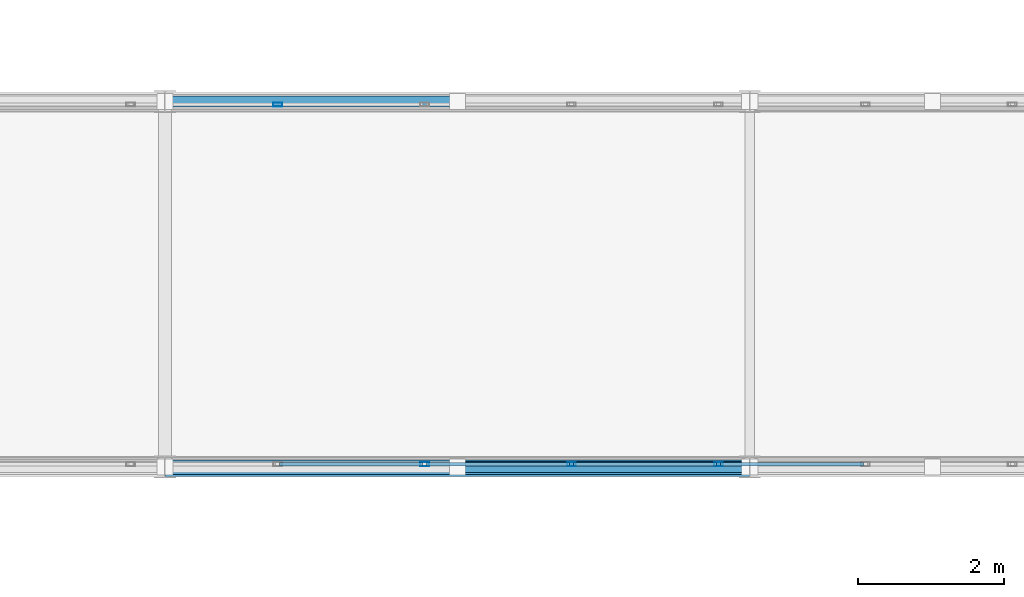
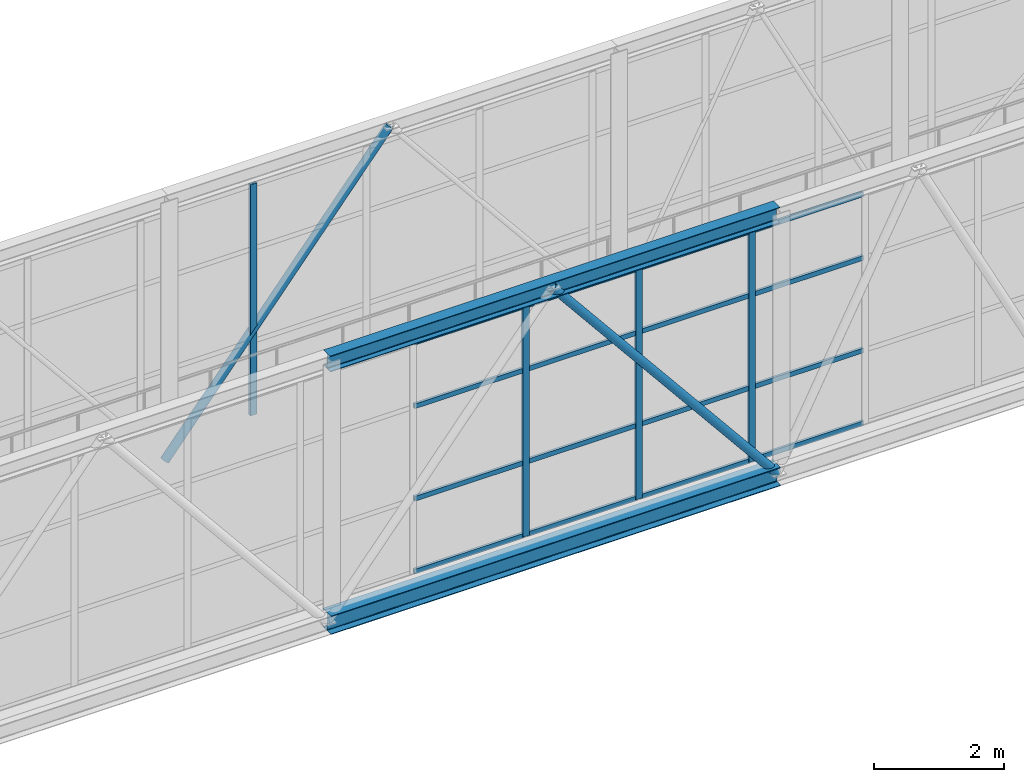
# One storey, part 96 of 248: 24 members, 2 elements without a shape of their own.
"""IFC4 building model written with IfcOpenShell, lengths in metres."""

from ifc_helpers import new_model, si_unit, direction, frame, origin, origin_2d, place, context, subcontext, project, spatial, hollow_rectangle, hollow_circle, i_section, extrude, material, layer, layer_set, material_profile, profile_set, type_object, element, aggregate, save


model = new_model("IFC4")

# Units and contexts
model_context = context("Model", 3, precision=1e-05, world=origin(), true_north=direction((0.0, 1.0)))
body_context = subcontext(model_context, "Body", "Model", "MODEL_VIEW")
ifc_project = project(units=[si_unit("LENGTHUNIT", "METRE"), si_unit("AREAUNIT", "SQUARE_METRE"), si_unit("VOLUMEUNIT", "CUBIC_METRE"), si_unit("PLANEANGLEUNIT", "RADIAN"), si_unit("MASSUNIT", "GRAM", prefix="KILO")], contexts=[model_context])

# Site, building, storey
site_placement = place(None, origin())
site = spatial("IfcSite", under=ifc_project, at=site_placement, CompositionType="ELEMENT")
building_placement = place(site_placement, origin())
building = spatial("IfcBuilding", under=site, at=building_placement, Name="Canggui Botanical Conservatory", CompositionType="ELEMENT")
storey_placement = place(building_placement, frame((0.0, 0.0, 5.39990234375)))
storey = spatial("IfcBuildingStorey", under=building, at=storey_placement, Name="L02", CompositionType="ELEMENT", Elevation=5.39990234375)

# Curtain wall, members
ifc_material_1 = material(Name="Thermally Broken Aluminium", Category="aluminium")
ifc_layer = layer(ifc_material_1, 0.1201171875, Name="Thermally Broken Aluminium", Category="aluminium")
ifc_layer_set = layer_set([ifc_layer], Name="Thermally Broken Aluminium")
curtain_wall_type = type_object("IfcCurtainWallType", Name="CW-STICK-B", PredefinedType="USERDEFINED", material=ifc_layer_set)
curtain_wall_1_placement = place(storey_placement, origin())
curtain_wall_1 = element("IfcCurtainWall", 1, at=curtain_wall_1_placement, inside=storey, type_object=curtain_wall_type, Name="Facade Curtain Wall CW-SB-01-1", ObjectType="STICK GLAZED WALL", PredefinedType="USERDEFINED")
ifc_material_profile_1 = material_profile(ifc_material_1, hollow_rectangle(XDim=0.054931640625, YDim=0.1201171875, WallThickness=0.0029296875, at=origin_2d()), Name="CWM 55x120x3")
ifc_profile_set_1 = profile_set([ifc_material_profile_1], Name="Thermally Broken Aluminium")
member_type_1 = type_object("IfcMemberType", Name="CWM-05", PredefinedType="MULLION", material=ifc_profile_set_1)
member_1_placement = place(storey_placement, frame((109.05322265625, 26.0400390625, 0.0), z_axis=(0.0, 0.0, 1.0), x_axis=(0.0, 1.0, 0.0)))
member_1 = element("IfcMember", 2, at=member_1_placement, type_object=member_type_1, Name="CW-05 mullion 22", PredefinedType="MULLION", context=body_context, shape_type="SweptSolid", body=[
    extrude(hollow_rectangle(XDim=0.054931640625, YDim=0.1201171875, WallThickness=0.0029296875, at=origin_2d()), origin(), (0.0, 0.0, 1.0), 4.35009765625),
])
member_2_placement = place(storey_placement, frame((111.06298828125, 26.0400390625, 0.0), z_axis=(0.0, 0.0, 1.0), x_axis=(0.0, 1.0, 0.0)))
member_2 = element("IfcMember", 3, at=member_2_placement, type_object=member_type_1, Name="CW-05 mullion 23", PredefinedType="MULLION", context=body_context, shape_type="SweptSolid", body=[
    extrude(hollow_rectangle(XDim=0.054931640625, YDim=0.1201171875, WallThickness=0.0029296875, at=origin_2d()), origin(), (0.0, 0.0, 1.0), 4.35009765625),
])
member_3_placement = place(storey_placement, frame((113.072509765625, 26.0400390625, 0.0), z_axis=(0.0, 0.0, 1.0), x_axis=(0.0, 1.0, 0.0)))
member_3 = element("IfcMember", 4, at=member_3_placement, type_object=member_type_1, Name="CW-05 mullion 24", PredefinedType="MULLION", context=body_context, shape_type="SweptSolid", body=[
    extrude(hollow_rectangle(XDim=0.054931640625, YDim=0.1201171875, WallThickness=0.0029296875, at=origin_2d()), origin(), (0.0, 0.0, 1.0), 4.35009765625),
])

# Curtain wall, member
curtain_wall_2_placement = place(storey_placement, origin())
curtain_wall_2 = element("IfcCurtainWall", 5, at=curtain_wall_2_placement, inside=storey, type_object=curtain_wall_type, Name="Facade Curtain Wall CW-SB-01-2", ObjectType="STICK GLAZED WALL", PredefinedType="USERDEFINED")
member_4_placement = place(storey_placement, frame((107.04345703125, 30.9599609375, 0.0), z_axis=(0.0, 0.0, 1.0), x_axis=(0.0, 1.0, 0.0)))
member_4 = element("IfcMember", 6, at=member_4_placement, type_object=member_type_1, Name="CW-05 mullion 21", PredefinedType="MULLION", context=body_context, shape_type="SweptSolid", body=[
    extrude(hollow_rectangle(XDim=0.054931640625, YDim=0.1201171875, WallThickness=0.0029296875, at=origin_2d()), origin(), (0.0, 0.0, 1.0), 4.35009765625),
])
aggregate(curtain_wall_2, [member_4])

# Member
ifc_material_profile_2 = material_profile(ifc_material_1, hollow_rectangle(XDim=0.044921875, YDim=0.090087890625, WallThickness=0.0029296875, at=origin_2d()), Name="CWT 45x90x3")
ifc_profile_set_2 = profile_set([ifc_material_profile_2], Name="Thermally Broken Aluminium")
member_type_2 = type_object("IfcMemberType", Name="CWT-05", PredefinedType="USERDEFINED", material=ifc_profile_set_2)
member_5_placement = place(storey_placement, frame((107.071044921875, 26.0400390625, 0.022705078125), z_axis=(1.0, 0.0, 0.0), x_axis=(0.0, 1.0, 0.0)))
member_5 = element("IfcMember", 7, at=member_5_placement, type_object=member_type_2, Name="CW-05 transom 21.1", ObjectType="TRANSOM", PredefinedType="USERDEFINED", context=body_context, shape_type="SweptSolid", body=[
    extrude(hollow_rectangle(XDim=0.044921875, YDim=0.090087890625, WallThickness=0.0029296875, at=origin_2d()), origin(), (0.0, 0.0, 1.0), 1.95458984375),
])

member_6_placement = place(storey_placement, frame((107.071044921875, 26.0400390625, 1.39208984375), z_axis=(1.0, 0.0, 0.0), x_axis=(0.0, 1.0, 0.0)))
member_6 = element("IfcMember", 8, at=member_6_placement, type_object=member_type_2, Name="CW-05 transom 21.2", ObjectType="TRANSOM", PredefinedType="USERDEFINED", context=body_context, shape_type="SweptSolid", body=[
    extrude(hollow_rectangle(XDim=0.044921875, YDim=0.090087890625, WallThickness=0.0029296875, at=origin_2d()), origin(), (0.0, 0.0, 1.0), 1.95458984375),
])

member_7_placement = place(storey_placement, frame((107.071044921875, 26.0400390625, 3.132080078125), z_axis=(1.0, 0.0, 0.0), x_axis=(0.0, 1.0, 0.0)))
member_7 = element("IfcMember", 9, at=member_7_placement, type_object=member_type_2, Name="CW-05 transom 21.3", ObjectType="TRANSOM", PredefinedType="USERDEFINED", context=body_context, shape_type="SweptSolid", body=[
    extrude(hollow_rectangle(XDim=0.044921875, YDim=0.090087890625, WallThickness=0.0029296875, at=origin_2d()), origin(), (0.0, 0.0, 1.0), 1.95458984375),
])

member_8_placement = place(storey_placement, frame((107.071044921875, 26.0400390625, 4.32763671875), z_axis=(1.0, 0.0, 0.0), x_axis=(0.0, 1.0, 0.0)))
member_8 = element("IfcMember", 10, at=member_8_placement, type_object=member_type_2, Name="CW-05 transom 21.4", ObjectType="TRANSOM", PredefinedType="USERDEFINED", context=body_context, shape_type="SweptSolid", body=[
    extrude(hollow_rectangle(XDim=0.044921875, YDim=0.090087890625, WallThickness=0.0029296875, at=origin_2d()), origin(), (0.0, 0.0, 1.0), 1.95458984375),
])

member_9_placement = place(storey_placement, frame((109.080810546875, 26.0400390625, 0.022705078125), z_axis=(1.0, 0.0, 0.0), x_axis=(0.0, 1.0, 0.0)))
member_9 = element("IfcMember", 11, at=member_9_placement, type_object=member_type_2, Name="CW-05 transom 22.1", ObjectType="TRANSOM", PredefinedType="USERDEFINED", context=body_context, shape_type="SweptSolid", body=[
    extrude(hollow_rectangle(XDim=0.044921875, YDim=0.090087890625, WallThickness=0.0029296875, at=origin_2d()), origin(), (0.0, 0.0, 1.0), 1.95458984375),
])

member_10_placement = place(storey_placement, frame((109.080810546875, 26.0400390625, 1.39208984375), z_axis=(1.0, 0.0, 0.0), x_axis=(0.0, 1.0, 0.0)))
member_10 = element("IfcMember", 12, at=member_10_placement, type_object=member_type_2, Name="CW-05 transom 22.2", ObjectType="TRANSOM", PredefinedType="USERDEFINED", context=body_context, shape_type="SweptSolid", body=[
    extrude(hollow_rectangle(XDim=0.044921875, YDim=0.090087890625, WallThickness=0.0029296875, at=origin_2d()), origin(), (0.0, 0.0, 1.0), 1.95458984375),
])

member_11_placement = place(storey_placement, frame((109.080810546875, 26.0400390625, 3.132080078125), z_axis=(1.0, 0.0, 0.0), x_axis=(0.0, 1.0, 0.0)))
member_11 = element("IfcMember", 13, at=member_11_placement, type_object=member_type_2, Name="CW-05 transom 22.3", ObjectType="TRANSOM", PredefinedType="USERDEFINED", context=body_context, shape_type="SweptSolid", body=[
    extrude(hollow_rectangle(XDim=0.044921875, YDim=0.090087890625, WallThickness=0.0029296875, at=origin_2d()), origin(), (0.0, 0.0, 1.0), 1.95458984375),
])

member_12_placement = place(storey_placement, frame((109.080810546875, 26.0400390625, 4.32763671875), z_axis=(1.0, 0.0, 0.0), x_axis=(0.0, 1.0, 0.0)))
member_12 = element("IfcMember", 14, at=member_12_placement, type_object=member_type_2, Name="CW-05 transom 22.4", ObjectType="TRANSOM", PredefinedType="USERDEFINED", context=body_context, shape_type="SweptSolid", body=[
    extrude(hollow_rectangle(XDim=0.044921875, YDim=0.090087890625, WallThickness=0.0029296875, at=origin_2d()), origin(), (0.0, 0.0, 1.0), 1.95458984375),
])

member_13_placement = place(storey_placement, frame((111.09033203125, 26.0400390625, 0.022705078125), z_axis=(1.0, 0.0, 0.0), x_axis=(0.0, 1.0, 0.0)))
member_13 = element("IfcMember", 15, at=member_13_placement, type_object=member_type_2, Name="CW-05 transom 23.1", ObjectType="TRANSOM", PredefinedType="USERDEFINED", context=body_context, shape_type="SweptSolid", body=[
    extrude(hollow_rectangle(XDim=0.044921875, YDim=0.090087890625, WallThickness=0.0029296875, at=origin_2d()), origin(), (0.0, 0.0, 1.0), 1.954833984375),
])

member_14_placement = place(storey_placement, frame((111.09033203125, 26.0400390625, 1.39208984375), z_axis=(1.0, 0.0, 0.0), x_axis=(0.0, 1.0, 0.0)))
member_14 = element("IfcMember", 16, at=member_14_placement, type_object=member_type_2, Name="CW-05 transom 23.2", ObjectType="TRANSOM", PredefinedType="USERDEFINED", context=body_context, shape_type="SweptSolid", body=[
    extrude(hollow_rectangle(XDim=0.044921875, YDim=0.090087890625, WallThickness=0.0029296875, at=origin_2d()), origin(), (0.0, 0.0, 1.0), 1.954833984375),
])

member_15_placement = place(storey_placement, frame((111.09033203125, 26.0400390625, 3.132080078125), z_axis=(1.0, 0.0, 0.0), x_axis=(0.0, 1.0, 0.0)))
member_15 = element("IfcMember", 17, at=member_15_placement, type_object=member_type_2, Name="CW-05 transom 23.3", ObjectType="TRANSOM", PredefinedType="USERDEFINED", context=body_context, shape_type="SweptSolid", body=[
    extrude(hollow_rectangle(XDim=0.044921875, YDim=0.090087890625, WallThickness=0.0029296875, at=origin_2d()), origin(), (0.0, 0.0, 1.0), 1.954833984375),
])

member_16_placement = place(storey_placement, frame((111.09033203125, 26.0400390625, 4.32763671875), z_axis=(1.0, 0.0, 0.0), x_axis=(0.0, 1.0, 0.0)))
member_16 = element("IfcMember", 18, at=member_16_placement, type_object=member_type_2, Name="CW-05 transom 23.4", ObjectType="TRANSOM", PredefinedType="USERDEFINED", context=body_context, shape_type="SweptSolid", body=[
    extrude(hollow_rectangle(XDim=0.044921875, YDim=0.090087890625, WallThickness=0.0029296875, at=origin_2d()), origin(), (0.0, 0.0, 1.0), 1.954833984375),
])

member_17_placement = place(storey_placement, frame((113.10009765625, 26.0400390625, 0.022705078125), z_axis=(1.0, 0.0, 0.0), x_axis=(0.0, 1.0, 0.0)))
member_17 = element("IfcMember", 19, at=member_17_placement, type_object=member_type_2, Name="CW-05 transom 24.1", ObjectType="TRANSOM", PredefinedType="USERDEFINED", context=body_context, shape_type="SweptSolid", body=[
    extrude(hollow_rectangle(XDim=0.044921875, YDim=0.090087890625, WallThickness=0.0029296875, at=origin_2d()), origin(), (0.0, 0.0, 1.0), 1.95458984375),
])

member_18_placement = place(storey_placement, frame((113.10009765625, 26.0400390625, 1.39208984375), z_axis=(1.0, 0.0, 0.0), x_axis=(0.0, 1.0, 0.0)))
member_18 = element("IfcMember", 20, at=member_18_placement, type_object=member_type_2, Name="CW-05 transom 24.2", ObjectType="TRANSOM", PredefinedType="USERDEFINED", context=body_context, shape_type="SweptSolid", body=[
    extrude(hollow_rectangle(XDim=0.044921875, YDim=0.090087890625, WallThickness=0.0029296875, at=origin_2d()), origin(), (0.0, 0.0, 1.0), 1.95458984375),
])

member_19_placement = place(storey_placement, frame((113.10009765625, 26.0400390625, 3.132080078125), z_axis=(1.0, 0.0, 0.0), x_axis=(0.0, 1.0, 0.0)))
member_19 = element("IfcMember", 21, at=member_19_placement, type_object=member_type_2, Name="CW-05 transom 24.3", ObjectType="TRANSOM", PredefinedType="USERDEFINED", context=body_context, shape_type="SweptSolid", body=[
    extrude(hollow_rectangle(XDim=0.044921875, YDim=0.090087890625, WallThickness=0.0029296875, at=origin_2d()), origin(), (0.0, 0.0, 1.0), 1.95458984375),
])

member_20_placement = place(storey_placement, frame((113.10009765625, 26.0400390625, 4.32763671875), z_axis=(1.0, 0.0, 0.0), x_axis=(0.0, 1.0, 0.0)))
member_20 = element("IfcMember", 22, at=member_20_placement, type_object=member_type_2, Name="CW-05 transom 24.4", ObjectType="TRANSOM", PredefinedType="USERDEFINED", context=body_context, shape_type="SweptSolid", body=[
    extrude(hollow_rectangle(XDim=0.044921875, YDim=0.090087890625, WallThickness=0.0029296875, at=origin_2d()), origin(), (0.0, 0.0, 1.0), 1.95458984375),
])

aggregate(curtain_wall_1, [member_1, member_2, member_3, member_5, member_6, member_7, member_8, member_9, member_10, member_11, member_12, member_13, member_14, member_15, member_16, member_17, member_18, member_19, member_20])

# Members
ifc_material_2 = material(Name="Steel Q355C", Category="steel")
ifc_material_profile_3 = material_profile(ifc_material_2, hollow_circle(Radius=0.075927734375, WallThickness=0.006103515625, at=origin_2d()), Name="CHS 152x6")
ifc_profile_set_3 = profile_set([ifc_material_profile_3], Name="Steel Q355C")
member_type_3 = type_object("IfcMemberType", Name="MEM-GSD04", PredefinedType="RAFTER", material=ifc_profile_set_3)
for number, where, z_axis, x_axis, name in (
    (23, (109.5, 26.0, 4.550048828125), (0.632384053133, 0.0, -0.774655026024), (0.0, 1.0, 0.0), "SB-01 Truss Web Rafter 1.6B"),
    (24, (105.5, 31.0, -0.349853515625), (0.632384053133, 0.0, 0.774655026024), (0.0, 1.0, 0.0), "SB-01 Truss Web Rafter 2.6A"),
):
    element("IfcMember", number, at=place(storey_placement, frame(where, z_axis=z_axis, x_axis=x_axis)), inside=storey, type_object=member_type_3, Name=name, PredefinedType="RAFTER", context=body_context, shape_type="SweptSolid", body=[
        extrude(hollow_circle(Radius=0.075927734375, WallThickness=0.006103515625, at=origin_2d()), origin(), (0.0, 0.0, 1.0), 6.3251953125),
    ])
ifc_material_3 = material(Name="Steel Q355B", Category="steel")
ifc_material_profile_4 = material_profile(ifc_material_3, i_section(OverallWidth=0.25, OverallDepth=0.35009765625, WebThickness=0.009033203125, FlangeThickness=0.013916015625, FilletRadius=0.02001953125, at=origin_2d()), Name="HM 350x250x9x14")
ifc_profile_set_4 = profile_set([ifc_material_profile_4], Name="Steel Q355B")
member_type_4 = type_object("IfcMemberType", Name="MEM-TC03", PredefinedType="CHORD", material=ifc_profile_set_4)
member_21_placement = place(storey_placement, frame((105.5, 26.0, -0.349853515625), z_axis=(1.0, 0.0, 0.0), x_axis=(0.0, 1.0, 0.0)))
element("IfcMember", 25, at=member_21_placement, inside=storey, type_object=member_type_4, Name="SB-01 Deck Truss Bottom Chord 1.6", PredefinedType="CHORD", context=body_context, shape_type="SweptSolid", body=[
    extrude(i_section(OverallWidth=0.25, OverallDepth=0.35009765625, WebThickness=0.009033203125, FlangeThickness=0.013916015625, FilletRadius=0.02001953125, at=origin_2d()), origin(), (0.0, 0.0, 1.0), 8.0),
])
ifc_material_profile_5 = material_profile(ifc_material_3, i_section(OverallWidth=0.199951171875, OverallDepth=0.300048828125, WebThickness=0.008056640625, FlangeThickness=0.011962890625, FilletRadius=0.01806640625, at=origin_2d()), Name="HM 300x200x8x12")
ifc_profile_set_5 = profile_set([ifc_material_profile_5], Name="Steel Q355B")
member_type_5 = type_object("IfcMemberType", Name="MEM-TC04", PredefinedType="CHORD", material=ifc_profile_set_5)
member_22_placement = place(storey_placement, frame((105.5, 26.0, 4.550048828125), z_axis=(1.0, 0.0, 0.0), x_axis=(0.0, 1.0, 0.0)))
element("IfcMember", 26, at=member_22_placement, inside=storey, type_object=member_type_5, Name="SB-01 Roof Truss Top Chord 1.6", PredefinedType="CHORD", context=body_context, shape_type="SweptSolid", body=[
    extrude(i_section(OverallWidth=0.199951171875, OverallDepth=0.300048828125, WebThickness=0.008056640625, FlangeThickness=0.011962890625, FilletRadius=0.01806640625, at=origin_2d()), origin(), (0.0, 0.0, 1.0), 8.0),
])

save(model, "model.ifc")
